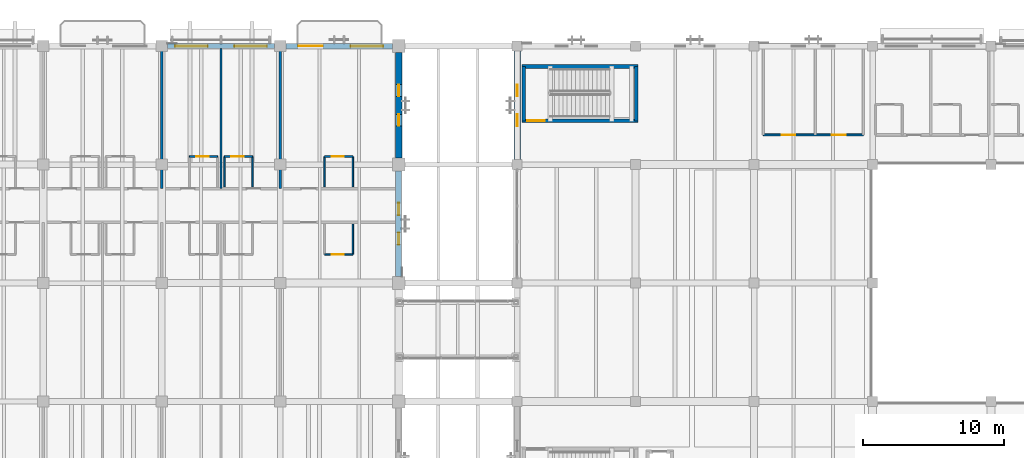
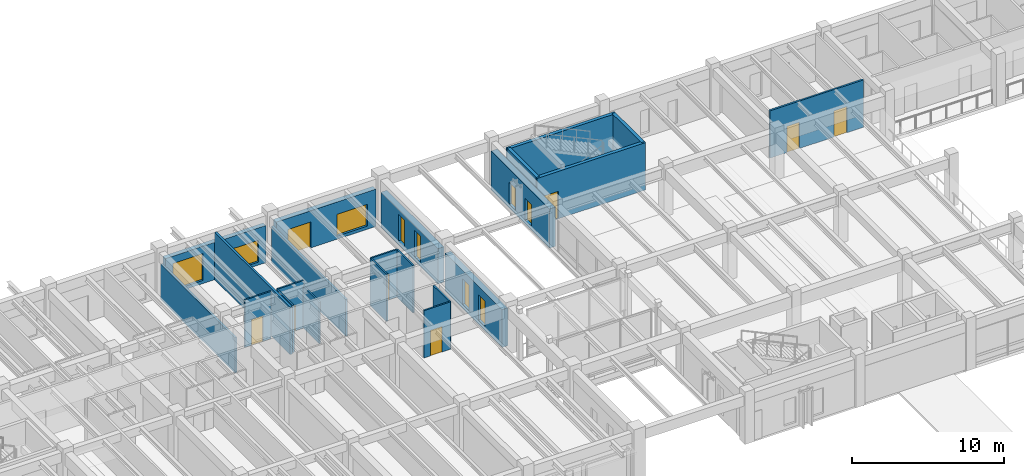
# One storey, part 92 of 132: 22 walls, 9 windows, 8 doors, 17 openings.
"""IFC4 building model written with IfcOpenShell, lengths in metres."""

from ifc_helpers import new_model, si_unit, direction, frame, frame_2d, origin, place, context, subcontext, project, spatial, rectangle, extrude, material, layer, layer_set, type_object, element, fill, save


model = new_model("IFC4")

# Units and contexts
model_context = context("Model", 3, precision=1e-05, world=origin(), true_north=direction((0.0, 1.0)))
body_context = subcontext(model_context, "Body", "Model", "MODEL_VIEW")
ifc_project = project(units=[si_unit("LENGTHUNIT", "METRE"), si_unit("AREAUNIT", "SQUARE_METRE"), si_unit("VOLUMEUNIT", "CUBIC_METRE"), si_unit("PLANEANGLEUNIT", "RADIAN"), si_unit("MASSUNIT", "GRAM", prefix="KILO")], contexts=[model_context])

# Site, building, storey
site_placement = place(None, origin())
site = spatial("IfcSite", under=ifc_project, at=site_placement, CompositionType="ELEMENT")
building_placement = place(site_placement, origin())
building = spatial("IfcBuilding", under=site, at=building_placement, Name="Cumbredor Promenade Congress Hotel", CompositionType="ELEMENT")
storey_placement = place(building_placement, frame((0.0, 0.0, 7.56005859375)))
storey = spatial("IfcBuildingStorey", under=building, at=storey_placement, Name="L02", CompositionType="ELEMENT", Elevation=7.56005859375)

# Wall, opening, door
ifc_material_1 = material(Name="Moisture-resistant gypsum board on steel studs", Category="steel")
ifc_layer_1 = layer(ifc_material_1, 0.114990234375, Name="Moisture-resistant gypsum board on steel studs", Category="steel")
ifc_layer_set_1 = layer_set([ifc_layer_1], Name="Moisture-resistant gypsum board on steel studs")
wall_type_1 = type_object("IfcWallType", Name="WL-BATH-115", PredefinedType="PARTITIONING", material=ifc_layer_set_1)
wall_1_placement = place(storey_placement, frame((69.159912109375, 109.77001953125, 0.0), z_axis=(0.0, 0.0, 1.0), x_axis=(1.0, 0.0, 0.0)))
wall_1 = element("IfcWall", 1, at=wall_1_placement, inside=storey, type_object=wall_type_1, Name="L02 Interior Partition W-L02-BH-0215", PredefinedType="PARTITIONING", context=body_context, shape_type="SweptSolid", body=[
    extrude(rectangle(XDim=2.0, YDim=0.114990234375, at=frame_2d((1.0, 0.0))), origin(), (0.0, 0.0, 1.0), 3.800048828125),
])
opening_1_placement = place(wall_1_placement, frame((0.5, 0.0, 0.0)))
opening_1 = element("IfcOpeningElement", 2, at=opening_1_placement, cuts=wall_1, Name="Opening ID-01", PredefinedType="OPENING", context=body_context, shape_type="SweptSolid", body=[
    extrude(rectangle(XDim=0.860107421875, YDim=2.050048828125, at=frame_2d((0.43017578125, 1.02490234375))), frame((0.0, 0.0673828125, 0.0), z_axis=(0.0, -1.0, 0.0), x_axis=(1.0, 0.0, 0.0)), (0.0, 0.0, 1.0), 0.135009765625),
])
ifc_material_2 = material(Name="Kiln-dried tropical hardwood", Category="wood")
door_type_1 = type_object("IfcDoorType", Name="DR-BATH-860", OperationType="NOTDEFINED", PredefinedType="DOOR", material=ifc_material_2)
door_1_placement = place(opening_1_placement, origin())
door_1 = element("IfcDoor", 3, at=door_1_placement, inside=storey, type_object=door_type_1, Name="L02 Interior Door W-L02-BH-0215-01", OperationType="SINGLE_SWING_RIGHT", OverallHeight=2.050048828125, OverallWidth=0.860107421875, PredefinedType="DOOR", context=body_context, shape_type="SweptSolid", body=[
    extrude(rectangle(XDim=0.860107421875, YDim=2.050048828125, at=frame_2d((0.43017578125, 1.02490234375))), frame((0.0, 0.02490234375, 0.0), z_axis=(0.0, -1.0, 0.0), x_axis=(1.0, 0.0, 0.0)), (0.0, 0.0, 1.0), 0.050048828125),
])
fill(opening_1, door_1)

wall_2_placement = place(storey_placement, frame((71.639892578125, 109.77001953125, 0.0), z_axis=(0.0, 0.0, 1.0), x_axis=(1.0, 0.0, 0.0)))
wall_2 = element("IfcWall", 4, at=wall_2_placement, inside=storey, type_object=wall_type_1, Name="L02 Interior Partition W-L02-BH-0216", PredefinedType="PARTITIONING", context=body_context, shape_type="SweptSolid", body=[
    extrude(rectangle(XDim=2.0, YDim=0.114990234375, at=frame_2d((1.0, 0.0))), origin(), (0.0, 0.0, 1.0), 3.800048828125),
])
opening_2_placement = place(wall_2_placement, frame((0.5, 0.0, 0.0)))
opening_2 = element("IfcOpeningElement", 5, at=opening_2_placement, cuts=wall_2, Name="Opening ID-01", PredefinedType="OPENING", context=body_context, shape_type="SweptSolid", body=[
    extrude(rectangle(XDim=0.860107421875, YDim=2.050048828125, at=frame_2d((0.43017578125, 1.02490234375))), frame((0.0, 0.0673828125, 0.0), z_axis=(0.0, -1.0, 0.0), x_axis=(1.0, 0.0, 0.0)), (0.0, 0.0, 1.0), 0.135009765625),
])
door_2_placement = place(opening_2_placement, origin())
door_2 = element("IfcDoor", 6, at=door_2_placement, inside=storey, type_object=door_type_1, Name="L02 Interior Door W-L02-BH-0216-01", OperationType="SINGLE_SWING_LEFT", OverallHeight=2.050048828125, OverallWidth=0.860107421875, PredefinedType="DOOR", context=body_context, shape_type="SweptSolid", body=[
    extrude(rectangle(XDim=0.860107421875, YDim=2.050048828125, at=frame_2d((0.43017578125, 1.02490234375))), frame((0.0, 0.02490234375, 0.0), z_axis=(0.0, -1.0, 0.0), x_axis=(1.0, 0.0, 0.0)), (0.0, 0.0, 1.0), 0.050048828125),
])
fill(opening_2, door_2)

# Walls
wall_3_placement = place(storey_placement, frame((71.639892578125, 107.6201171875, 0.0), z_axis=(0.0, 0.0, 1.0), x_axis=(0.0, 1.0, 0.0)))
element("IfcWall", 7, at=wall_3_placement, inside=storey, type_object=wall_type_1, Name="L02 Interior Partition W-L02-BV1-0216", PredefinedType="PARTITIONING", context=body_context, shape_type="SweptSolid", body=[
    extrude(rectangle(XDim=2.14990234375, YDim=0.114990234375, at=frame_2d((1.074951171875, 0.0))), origin(), (0.0, 0.0, 1.0), 3.800048828125),
])
wall_4_placement = place(storey_placement, frame((73.639892578125, 107.6201171875, 0.0), z_axis=(0.0, 0.0, 1.0), x_axis=(0.0, 1.0, 0.0)))
element("IfcWall", 8, at=wall_4_placement, inside=storey, type_object=wall_type_1, Name="L02 Interior Partition W-L02-BV2-0216", PredefinedType="PARTITIONING", context=body_context, shape_type="SweptSolid", body=[
    extrude(rectangle(XDim=2.14990234375, YDim=0.114990234375, at=frame_2d((1.074951171875, 0.0))), origin(), (0.0, 0.0, 1.0), 3.322021484375),
])

# Wall, opening, door
wall_5_placement = place(storey_placement, frame((78.75, 109.77001953125, 0.0), z_axis=(0.0, 0.0, 1.0), x_axis=(1.0, 0.0, 0.0)))
wall_5 = element("IfcWall", 9, at=wall_5_placement, inside=storey, type_object=wall_type_1, Name="L02 Interior Partition W-L02-BH-0217", PredefinedType="PARTITIONING", context=body_context, shape_type="SweptSolid", body=[
    extrude(rectangle(XDim=2.0, YDim=0.114990234375, at=frame_2d((1.0, 0.0))), origin(), (0.0, 0.0, 1.0), 3.800048828125),
])
opening_3_placement = place(wall_5_placement, frame((0.5, 0.0, 0.0)))
opening_3 = element("IfcOpeningElement", 10, at=opening_3_placement, cuts=wall_5, Name="Opening ID-01", PredefinedType="OPENING", context=body_context, shape_type="SweptSolid", body=[
    extrude(rectangle(XDim=0.860107421875, YDim=2.050048828125, at=frame_2d((0.43017578125, 1.02490234375))), frame((0.0, 0.0673828125, 0.0), z_axis=(0.0, -1.0, 0.0), x_axis=(1.0, 0.0, 0.0)), (0.0, 0.0, 1.0), 0.135009765625),
])
door_3_placement = place(opening_3_placement, origin())
door_3 = element("IfcDoor", 11, at=door_3_placement, inside=storey, type_object=door_type_1, Name="L02 Interior Door W-L02-BH-0217-01", OperationType="SINGLE_SWING_RIGHT", OverallHeight=2.050048828125, OverallWidth=0.860107421875, PredefinedType="DOOR", context=body_context, shape_type="SweptSolid", body=[
    extrude(rectangle(XDim=0.860107421875, YDim=2.050048828125, at=frame_2d((0.43017578125, 1.02490234375))), frame((0.0, 0.02490234375, 0.0), z_axis=(0.0, -1.0, 0.0), x_axis=(1.0, 0.0, 0.0)), (0.0, 0.0, 1.0), 0.050048828125),
])
fill(opening_3, door_3)

# Walls
for number, where, z_axis, x_axis, name in (
    (12, (78.75, 107.6201171875, 0.0), (0.0, 0.0, 1.0), (0.0, 1.0, 0.0), "L02 Interior Partition W-L02-BV1-0217"),
    (13, (80.75, 107.6201171875, 0.0), (0.0, 0.0, 1.0), (0.0, 1.0, 0.0), "L02 Interior Partition W-L02-BV2-0217"),
):
    element("IfcWall", number, at=place(storey_placement, frame(where, z_axis=z_axis, x_axis=x_axis)), inside=storey, type_object=wall_type_1, Name=name, PredefinedType="PARTITIONING", context=body_context, shape_type="SweptSolid", body=[
        extrude(rectangle(XDim=2.14990234375, YDim=0.114990234375, at=frame_2d((1.074951171875, 0.0))), origin(), (0.0, 0.0, 1.0), 3.800048828125),
    ])

# Wall, opening, door
wall_6_placement = place(storey_placement, frame((78.75, 102.830078125, 0.0), z_axis=(0.0, 0.0, 1.0), x_axis=(1.0, 0.0, 0.0)))
wall_6 = element("IfcWall", 14, at=wall_6_placement, inside=storey, type_object=wall_type_1, Name="L02 Interior Partition W-L02-BH-0223", PredefinedType="PARTITIONING", context=body_context, shape_type="SweptSolid", body=[
    extrude(rectangle(XDim=2.0, YDim=0.114990234375, at=frame_2d((1.0, 0.0))), origin(), (0.0, 0.0, 1.0), 3.800048828125),
])
opening_4_placement = place(wall_6_placement, frame((0.5, 0.0, 0.0)))
opening_4 = element("IfcOpeningElement", 15, at=opening_4_placement, cuts=wall_6, Name="Opening ID-01", PredefinedType="OPENING", context=body_context, shape_type="SweptSolid", body=[
    extrude(rectangle(XDim=0.860107421875, YDim=2.050048828125, at=frame_2d((0.43017578125, 1.02490234375))), frame((0.0, 0.0673828125, 0.0), z_axis=(0.0, -1.0, 0.0), x_axis=(1.0, 0.0, 0.0)), (0.0, 0.0, 1.0), 0.135009765625),
])
door_4_placement = place(opening_4_placement, origin())
door_4 = element("IfcDoor", 16, at=door_4_placement, inside=storey, type_object=door_type_1, Name="L02 Interior Door W-L02-BH-0223-01", OperationType="SINGLE_SWING_RIGHT", OverallHeight=2.050048828125, OverallWidth=0.860107421875, PredefinedType="DOOR", context=body_context, shape_type="SweptSolid", body=[
    extrude(rectangle(XDim=0.860107421875, YDim=2.050048828125, at=frame_2d((0.43017578125, 1.02490234375))), frame((0.0, 0.02490234375, 0.0), z_axis=(0.0, -1.0, 0.0), x_axis=(1.0, 0.0, 0.0)), (0.0, 0.0, 1.0), 0.050048828125),
])
fill(opening_4, door_4)

# Wall
wall_7_placement = place(storey_placement, frame((80.75, 102.830078125, 0.0), z_axis=(0.0, 0.0, 1.0), x_axis=(0.0, 1.0, 0.0)))
element("IfcWall", 17, at=wall_7_placement, inside=storey, type_object=wall_type_1, Name="L02 Interior Partition W-L02-BV2-0223", PredefinedType="PARTITIONING", context=body_context, shape_type="SweptSolid", body=[
    extrude(rectangle(XDim=2.14990234375, YDim=0.114990234375, at=frame_2d((1.074951171875, 0.0))), origin(), (0.0, 0.0, 1.0), 3.800048828125),
])

# Wall, openings, windows
ifc_material_3 = material(Name="Concrete C40/50", Category="concrete")
ifc_layer_2 = layer(ifc_material_3, 0.35009765625, Name="Concrete C40/50", Category="concrete")
ifc_layer_set_2 = layer_set([ifc_layer_2], Name="Concrete C40/50")
wall_type_2 = type_object("IfcWallType", Name="WL-EXT-350", PredefinedType="SOLIDWALL", material=ifc_layer_set_2)
wall_8_placement = place(storey_placement, frame((67.60107421875, 117.60009765625, 0.0), z_axis=(0.0, 0.0, 1.0), x_axis=(1.0, 0.0, 0.0)))
wall_8 = element("IfcWall", 18, at=wall_8_placement, inside=storey, type_object=wall_type_2, Name="L02 Stepped Congress Hotel Wing North Envelope Wall 9", PredefinedType="SOLIDWALL", context=body_context, shape_type="SweptSolid", body=[
    extrude(rectangle(XDim=7.597900390625, YDim=0.35009765625, at=frame_2d((3.798828125, 0.0))), origin(), (0.0, 0.0, 1.0), 2.98486328125),
])
opening_5_placement = place(wall_8_placement, frame((0.549072265625, 0.0, 0.25)))
opening_5 = element("IfcOpeningElement", 19, at=opening_5_placement, cuts=wall_8, Name="Opening WN-19", PredefinedType="OPENING", context=body_context, shape_type="SweptSolid", body=[
    extrude(rectangle(XDim=2.300048828125, YDim=2.14990234375, at=frame_2d((1.14990234375, 1.074951171875))), frame((0.0, 0.18505859375, 0.0), z_axis=(0.0, -1.0, 0.0), x_axis=(1.0, 0.0, 0.0)), (0.0, 0.0, 1.0), 0.3701171875),
])
opening_6_placement = place(wall_8_placement, frame((4.7490234375, 0.0, 0.25)))
opening_6 = element("IfcOpeningElement", 20, at=opening_6_placement, cuts=wall_8, Name="Opening WN-25", PredefinedType="OPENING", context=body_context, shape_type="SweptSolid", body=[
    extrude(rectangle(XDim=2.300048828125, YDim=1.75, at=frame_2d((1.14990234375, 0.875))), frame((0.0, 0.18505859375, 0.0), z_axis=(0.0, -1.0, 0.0), x_axis=(1.0, 0.0, 0.0)), (0.0, 0.0, 1.0), 0.3701171875),
])
ifc_material_4 = material(Name="Thermally broken anodized aluminium and low-E glass", Category="aluminium")
window_type_1 = type_object("IfcWindowType", Name="Hospitality Floor-to-Ceiling Window WN-19 2300x2150", PartitioningType="DOUBLE_PANEL_VERTICAL", PredefinedType="WINDOW", material=ifc_material_4)
window_1_placement = place(opening_5_placement, origin())
window_1 = element("IfcWindow", 21, at=window_1_placement, inside=storey, type_object=window_type_1, Name="L02 Wide Hospitality Window 0319", OverallHeight=2.14990234375, OverallWidth=2.300048828125, PartitioningType="DOUBLE_PANEL_VERTICAL", PredefinedType="WINDOW", context=body_context, shape_type="SweptSolid", body=[
    extrude(rectangle(XDim=2.300048828125, YDim=2.14990234375, at=frame_2d((1.14990234375, 1.074951171875))), frame((0.0, 0.030029296875, 0.0), z_axis=(0.0, -1.0, 0.0), x_axis=(1.0, 0.0, 0.0)), (0.0, 0.0, 1.0), 0.06005859375),
])
fill(opening_5, window_1)
window_type_2 = type_object("IfcWindowType", Name="Hospitality Floor-to-Ceiling Window WN-25 2300x1750", PartitioningType="DOUBLE_PANEL_VERTICAL", PredefinedType="WINDOW", material=ifc_material_4)
window_2_placement = place(opening_6_placement, origin())
window_2 = element("IfcWindow", 22, at=window_2_placement, inside=storey, type_object=window_type_2, Name="L02 Wide Hospitality Window 0320", OverallHeight=1.75, OverallWidth=2.300048828125, PartitioningType="DOUBLE_PANEL_VERTICAL", PredefinedType="WINDOW", context=body_context, shape_type="SweptSolid", body=[
    extrude(rectangle(XDim=2.300048828125, YDim=1.75, at=frame_2d((1.14990234375, 0.875))), frame((0.0, 0.030029296875, 0.0), z_axis=(0.0, -1.0, 0.0), x_axis=(1.0, 0.0, 0.0)), (0.0, 0.0, 1.0), 0.06005859375),
])
fill(opening_6, window_2)

# Wall, openings, door, window
ifc_layer_3 = layer(ifc_material_3, 0.3798828125, Name="Concrete C40/50", Category="concrete")
ifc_layer_set_3 = layer_set([ifc_layer_3], Name="Concrete C40/50")
wall_type_3 = type_object("IfcWallType", Name="WL-EXT-380", PredefinedType="SOLIDWALL", material=ifc_layer_set_3)
wall_9_placement = place(storey_placement, frame((76.0009765625, 117.60009765625, 0.0), z_axis=(0.0, 0.0, 1.0), x_axis=(1.0, 0.0, 0.0)))
wall_9 = element("IfcWall", 23, at=wall_9_placement, inside=storey, type_object=wall_type_3, Name="L02 Stepped Congress Hotel Wing North Envelope Wall 10", PredefinedType="SOLIDWALL", context=body_context, shape_type="SweptSolid", body=[
    extrude(rectangle(XDim=7.548095703125, YDim=0.3798828125, at=frame_2d((3.77392578125, 0.0))), origin(), (0.0, 0.0, 1.0), 2.98486328125),
])
opening_7_placement = place(wall_9_placement, frame((0.8740234375, 0.0, 0.0)))
opening_7 = element("IfcOpeningElement", 24, at=opening_7_placement, cuts=wall_9, Name="Opening TD-03", PredefinedType="OPENING", context=body_context, shape_type="SweptSolid", body=[
    extrude(rectangle(XDim=1.75, YDim=2.080078125, at=frame_2d((0.875, 1.0400390625))), frame((0.0, 0.199951171875, 0.0), z_axis=(0.0, -1.0, 0.0), x_axis=(1.0, 0.0, 0.0)), (0.0, 0.0, 1.0), 0.39990234375),
])
opening_8_placement = place(wall_9_placement, frame((4.59912109375, 0.0, 0.25)))
opening_8 = element("IfcOpeningElement", 25, at=opening_8_placement, cuts=wall_9, Name="Opening WN-25", PredefinedType="OPENING", context=body_context, shape_type="SweptSolid", body=[
    extrude(rectangle(XDim=2.300048828125, YDim=1.75, at=frame_2d((1.14990234375, 0.875))), frame((0.0, 0.199951171875, 0.0), z_axis=(0.0, -1.0, 0.0), x_axis=(1.0, 0.0, 0.0)), (0.0, 0.0, 1.0), 0.39990234375),
])
ifc_material_5 = material(Name="Thermally broken anodized aluminium and laminated safety glass", Category="aluminium")
door_type_2 = type_object("IfcDoorType", Name="EXT-DR-TER-1750x2080", OperationType="DOUBLE_DOOR_SINGLE_SWING", PredefinedType="DOOR", material=ifc_material_5)
door_5_placement = place(opening_7_placement, origin())
door_5 = element("IfcDoor", 26, at=door_5_placement, inside=storey, type_object=door_type_2, Name="L02 Guestroom Veranda Balcony Door 041", OperationType="DOUBLE_DOOR_SINGLE_SWING", OverallHeight=2.080078125, OverallWidth=1.75, PredefinedType="DOOR", context=body_context, shape_type="SweptSolid", body=[
    extrude(rectangle(XDim=1.75, YDim=2.080078125, at=frame_2d((0.875, 1.0400390625))), frame((0.0, 0.02490234375, 0.0), z_axis=(0.0, -1.0, 0.0), x_axis=(1.0, 0.0, 0.0)), (0.0, 0.0, 1.0), 0.050048828125),
])
fill(opening_7, door_5)
window_3_placement = place(opening_8_placement, origin())
window_3 = element("IfcWindow", 27, at=window_3_placement, inside=storey, type_object=window_type_2, Name="L02 Veranda Companion Floor-to-Ceiling Window 0321", OverallHeight=1.75, OverallWidth=2.300048828125, PartitioningType="DOUBLE_PANEL_VERTICAL", PredefinedType="WINDOW", context=body_context, shape_type="SweptSolid", body=[
    extrude(rectangle(XDim=2.300048828125, YDim=1.75, at=frame_2d((1.14990234375, 0.875))), frame((0.0, 0.030029296875, 0.0), z_axis=(0.0, -1.0, 0.0), x_axis=(1.0, 0.0, 0.0)), (0.0, 0.0, 1.0), 0.06005859375),
])
fill(opening_8, window_3)

# Wall, openings, windows
ifc_layer_4 = layer(ifc_material_3, 0.425048828125, Name="Concrete C40/50", Category="concrete")
ifc_layer_set_4 = layer_set([ifc_layer_4], Name="Concrete C40/50")
wall_type_4 = type_object("IfcWallType", Name="WL-EXT-425", PredefinedType="SOLIDWALL", material=ifc_layer_set_4)
wall_10_placement = place(storey_placement, frame((84.0, 101.2509765625, 0.0), z_axis=(0.0, 0.0, 1.0), x_axis=(0.0, 1.0, 0.0)))
wall_10 = element("IfcWall", 28, at=wall_10_placement, inside=storey, type_object=wall_type_4, Name="L02 Stepped Congress Hotel Wing East Envelope Wall 3", PredefinedType="SOLIDWALL", context=body_context, shape_type="SweptSolid", body=[
    extrude(rectangle(XDim=7.498046875, YDim=0.425048828125, at=frame_2d((3.7490234375, 0.0))), origin(), (0.0, 0.0, 1.0), 3.034912109375),
])
opening_9_placement = place(wall_10_placement, frame((2.26904296875, 0.0, 0.300048828125)))
opening_9 = element("IfcOpeningElement", 29, at=opening_9_placement, cuts=wall_10, Name="Opening WN-55", PredefinedType="OPENING", context=body_context, shape_type="SweptSolid", body=[
    extrude(rectangle(XDim=0.860107421875, YDim=2.050048828125, at=frame_2d((0.43017578125, 1.02490234375))), frame((0.0, 0.22265625, 0.0), z_axis=(0.0, -1.0, 0.0), x_axis=(1.0, 0.0, 0.0)), (0.0, 0.0, 1.0), 0.445068359375),
])
opening_10_placement = place(wall_10_placement, frame((4.368896484375, 0.0, 0.300048828125)))
opening_10 = element("IfcOpeningElement", 30, at=opening_10_placement, cuts=wall_10, Name="Opening WN-55", PredefinedType="OPENING", context=body_context, shape_type="SweptSolid", body=[
    extrude(rectangle(XDim=0.860107421875, YDim=2.050048828125, at=frame_2d((0.43017578125, 1.02490234375))), frame((0.0, 0.22265625, 0.0), z_axis=(0.0, -1.0, 0.0), x_axis=(1.0, 0.0, 0.0)), (0.0, 0.0, 1.0), 0.445068359375),
])
window_type_3 = type_object("IfcWindowType", Name="Vertical Slot Window WN-55 860x2050", PartitioningType="SINGLE_PANEL", PredefinedType="WINDOW", material=ifc_material_4)
window_4_placement = place(opening_9_placement, origin())
window_4 = element("IfcWindow", 31, at=window_4_placement, inside=storey, type_object=window_type_3, Name="L02 Vertical Slot Window 0332", OverallHeight=2.050048828125, OverallWidth=0.860107421875, PartitioningType="SINGLE_PANEL", PredefinedType="WINDOW", context=body_context, shape_type="SweptSolid", body=[
    extrude(rectangle(XDim=0.860107421875, YDim=2.050048828125, at=frame_2d((0.43017578125, 1.02490234375))), frame((0.0, 0.030029296875, 0.0), z_axis=(0.0, -1.0, 0.0), x_axis=(1.0, 0.0, 0.0)), (0.0, 0.0, 1.0), 0.06005859375),
])
fill(opening_9, window_4)
window_5_placement = place(opening_10_placement, origin())
window_5 = element("IfcWindow", 32, at=window_5_placement, inside=storey, type_object=window_type_3, Name="L02 Vertical Slot Window 0333", OverallHeight=2.050048828125, OverallWidth=0.860107421875, PartitioningType="SINGLE_PANEL", PredefinedType="WINDOW", context=body_context, shape_type="SweptSolid", body=[
    extrude(rectangle(XDim=0.860107421875, YDim=2.050048828125, at=frame_2d((0.43017578125, 1.02490234375))), frame((0.0, 0.030029296875, 0.0), z_axis=(0.0, -1.0, 0.0), x_axis=(1.0, 0.0, 0.0)), (0.0, 0.0, 1.0), 0.06005859375),
])
fill(opening_10, window_5)

ifc_layer_5 = layer(ifc_material_3, 0.449951171875, Name="Concrete C40/50", Category="concrete")
ifc_layer_set_5 = layer_set([ifc_layer_5], Name="Concrete C40/50")
wall_type_5 = type_object("IfcWallType", Name="WL-EXT-450", PredefinedType="SOLIDWALL", material=ifc_layer_set_5)
wall_11_placement = place(storey_placement, frame((92.39990234375, 109.551025390625, 0.0), z_axis=(0.0, 0.0, 1.0), x_axis=(0.0, 1.0, 0.0)))
wall_11 = element("IfcWall", 33, at=wall_11_placement, inside=storey, type_object=wall_type_5, Name="L02 Pre-Function and Breakout Meeting Forum West Envelope Wall 4", PredefinedType="SOLIDWALL", context=body_context, shape_type="SweptSolid", body=[
    extrude(rectangle(XDim=7.697998046875, YDim=0.449951171875, at=frame_2d((3.84912109375, 0.0))), origin(), (0.0, 0.0, 1.0), 3.135009765625),
])
opening_11_placement = place(wall_11_placement, frame((2.37890625, 0.0, 0.300048828125)))
opening_11 = element("IfcOpeningElement", 34, at=opening_11_placement, cuts=wall_11, Name="Opening WN-62", PredefinedType="OPENING", context=body_context, shape_type="SweptSolid", body=[
    extrude(rectangle(XDim=0.840087890625, YDim=1.75, at=frame_2d((0.419921875, 0.875))), frame((0.0, 0.23486328125, 0.0), z_axis=(0.0, -1.0, 0.0), x_axis=(1.0, 0.0, 0.0)), (0.0, 0.0, 1.0), 0.469970703125),
])
opening_12_placement = place(wall_11_placement, frame((4.47900390625, 0.0, 0.300048828125)))
opening_12 = element("IfcOpeningElement", 35, at=opening_12_placement, cuts=wall_11, Name="Opening WN-62", PredefinedType="OPENING", context=body_context, shape_type="SweptSolid", body=[
    extrude(rectangle(XDim=0.840087890625, YDim=1.75, at=frame_2d((0.419921875, 0.875))), frame((0.0, 0.23486328125, 0.0), z_axis=(0.0, -1.0, 0.0), x_axis=(1.0, 0.0, 0.0)), (0.0, 0.0, 1.0), 0.469970703125),
])
window_type_4 = type_object("IfcWindowType", Name="Vertical Slot Window WN-62 840x1750", PartitioningType="SINGLE_PANEL", PredefinedType="WINDOW", material=ifc_material_4)
window_6_placement = place(opening_11_placement, origin())
window_6 = element("IfcWindow", 36, at=window_6_placement, inside=storey, type_object=window_type_4, Name="L02 Vertical Slot Window 0288", OverallHeight=1.75, OverallWidth=0.840087890625, PartitioningType="SINGLE_PANEL", PredefinedType="WINDOW", context=body_context, shape_type="SweptSolid", body=[
    extrude(rectangle(XDim=0.840087890625, YDim=1.75, at=frame_2d((0.419921875, 0.875))), frame((0.0, 0.030029296875, 0.0), z_axis=(0.0, -1.0, 0.0), x_axis=(1.0, 0.0, 0.0)), (0.0, 0.0, 1.0), 0.06005859375),
])
fill(opening_11, window_6)
window_7_placement = place(opening_12_placement, origin())
window_7 = element("IfcWindow", 37, at=window_7_placement, inside=storey, type_object=window_type_4, Name="L02 Vertical Slot Window 0289", OverallHeight=1.75, OverallWidth=0.840087890625, PartitioningType="SINGLE_PANEL", PredefinedType="WINDOW", context=body_context, shape_type="SweptSolid", body=[
    extrude(rectangle(XDim=0.840087890625, YDim=1.75, at=frame_2d((0.419921875, 0.875))), frame((0.0, 0.030029296875, 0.0), z_axis=(0.0, -1.0, 0.0), x_axis=(1.0, 0.0, 0.0)), (0.0, 0.0, 1.0), 0.06005859375),
])
fill(opening_12, window_7)

wall_12_placement = place(storey_placement, frame((84.0, 109.65087890625, 0.0), z_axis=(0.0, 0.0, 1.0), x_axis=(0.0, 1.0, 0.0)))
wall_12 = element("IfcWall", 38, at=wall_12_placement, inside=storey, type_object=wall_type_5, Name="L02 Stepped Congress Hotel Wing East Envelope Wall 4", PredefinedType="SOLIDWALL", context=body_context, shape_type="SweptSolid", body=[
    extrude(rectangle(XDim=7.498046875, YDim=0.449951171875, at=frame_2d((3.7490234375, 0.0))), origin(), (0.0, 0.0, 1.0), 2.8349609375),
])
opening_13_placement = place(wall_12_placement, frame((2.2890625, 0.0, 0.300048828125)))
opening_13 = element("IfcOpeningElement", 39, at=opening_13_placement, cuts=wall_12, Name="Opening WN-58", PredefinedType="OPENING", context=body_context, shape_type="SweptSolid", body=[
    extrude(rectangle(XDim=0.820068359375, YDim=2.14990234375, at=frame_2d((0.41015625, 1.074951171875))), frame((0.0, 0.23486328125, 0.0), z_axis=(0.0, -1.0, 0.0), x_axis=(1.0, 0.0, 0.0)), (0.0, 0.0, 1.0), 0.469970703125),
])
opening_14_placement = place(wall_12_placement, frame((4.388916015625, 0.0, 0.300048828125)))
opening_14 = element("IfcOpeningElement", 40, at=opening_14_placement, cuts=wall_12, Name="Opening WN-58", PredefinedType="OPENING", context=body_context, shape_type="SweptSolid", body=[
    extrude(rectangle(XDim=0.820068359375, YDim=2.14990234375, at=frame_2d((0.41015625, 1.074951171875))), frame((0.0, 0.23486328125, 0.0), z_axis=(0.0, -1.0, 0.0), x_axis=(1.0, 0.0, 0.0)), (0.0, 0.0, 1.0), 0.469970703125),
])
window_type_5 = type_object("IfcWindowType", Name="Vertical Slot Window WN-58 820x2150", PartitioningType="SINGLE_PANEL", PredefinedType="WINDOW", material=ifc_material_4)
window_8_placement = place(opening_13_placement, origin())
window_8 = element("IfcWindow", 41, at=window_8_placement, inside=storey, type_object=window_type_5, Name="L02 Vertical Slot Window 0334", OverallHeight=2.14990234375, OverallWidth=0.820068359375, PartitioningType="SINGLE_PANEL", PredefinedType="WINDOW", context=body_context, shape_type="SweptSolid", body=[
    extrude(rectangle(XDim=0.820068359375, YDim=2.14990234375, at=frame_2d((0.41015625, 1.074951171875))), frame((0.0, 0.030029296875, 0.0), z_axis=(0.0, -1.0, 0.0), x_axis=(1.0, 0.0, 0.0)), (0.0, 0.0, 1.0), 0.06005859375),
])
fill(opening_13, window_8)
window_9_placement = place(opening_14_placement, origin())
window_9 = element("IfcWindow", 42, at=window_9_placement, inside=storey, type_object=window_type_5, Name="L02 Vertical Slot Window 0335", OverallHeight=2.14990234375, OverallWidth=0.820068359375, PartitioningType="SINGLE_PANEL", PredefinedType="WINDOW", context=body_context, shape_type="SweptSolid", body=[
    extrude(rectangle(XDim=0.820068359375, YDim=2.14990234375, at=frame_2d((0.41015625, 1.074951171875))), frame((0.0, 0.030029296875, 0.0), z_axis=(0.0, -1.0, 0.0), x_axis=(1.0, 0.0, 0.0)), (0.0, 0.0, 1.0), 0.06005859375),
])
fill(opening_14, window_9)

# Wall, openings, doors
ifc_material_6 = material(Name="Acoustic gypsum partition on steel studs", Category="steel")
ifc_layer_6 = layer(ifc_material_6, 0.139892578125, Name="Acoustic gypsum partition on steel studs", Category="steel")
ifc_layer_set_6 = layer_set([ifc_layer_6], Name="Acoustic gypsum partition on steel studs")
wall_type_6 = type_object("IfcWallType", Name="WL-PART-140", PredefinedType="PARTITIONING", material=ifc_layer_set_6)
wall_13_placement = place(storey_placement, frame((109.85009765625, 111.300048828125, 0.0), z_axis=(0.0, 0.0, 1.0), x_axis=(1.0, 0.0, 0.0)))
wall_13 = element("IfcWall", 43, at=wall_13_placement, inside=storey, type_object=wall_type_6, Name="L02 Interior Partition W-L02-V4-WC", PredefinedType="PARTITIONING", context=body_context, shape_type="SweptSolid", body=[
    extrude(rectangle(XDim=7.099853515625, YDim=0.139892578125, at=frame_2d((3.5498046875, 0.0))), origin(), (0.0, 0.0, 1.0), 3.800048828125),
])
opening_15_placement = place(wall_13_placement, frame((1.300048828125, 0.0, 0.0)))
opening_15 = element("IfcOpeningElement", 44, at=opening_15_placement, cuts=wall_13, Name="Opening ID-02", PredefinedType="OPENING", context=body_context, shape_type="SweptSolid", body=[
    extrude(rectangle(XDim=0.949951171875, YDim=2.10009765625, at=frame_2d((0.47509765625, 1.050048828125))), frame((0.0, 0.080078125, 0.0), z_axis=(0.0, -1.0, 0.0), x_axis=(1.0, 0.0, 0.0)), (0.0, 0.0, 1.0), 0.159912109375),
])
opening_16_placement = place(wall_13_placement, frame((4.85009765625, 0.0, 0.0)))
opening_16 = element("IfcOpeningElement", 45, at=opening_16_placement, cuts=wall_13, Name="Opening ID-03", PredefinedType="OPENING", context=body_context, shape_type="SweptSolid", body=[
    extrude(rectangle(XDim=1.0, YDim=2.10009765625, at=frame_2d((0.5, 1.050048828125))), frame((0.0, 0.080078125, 0.0), z_axis=(0.0, -1.0, 0.0), x_axis=(1.0, 0.0, 0.0)), (0.0, 0.0, 1.0), 0.159912109375),
])
door_type_3 = type_object("IfcDoorType", Name="DR-ACC-1000", OperationType="NOTDEFINED", PredefinedType="DOOR", material=ifc_material_2)
door_6_placement = place(opening_16_placement, origin())
door_6 = element("IfcDoor", 46, at=door_6_placement, inside=storey, type_object=door_type_3, Name="L02 Interior Door W-L02-V4-WC-02", OperationType="SINGLE_SWING_RIGHT", OverallHeight=2.10009765625, OverallWidth=1.0, PredefinedType="DOOR", context=body_context, shape_type="SweptSolid", body=[
    extrude(rectangle(XDim=1.0, YDim=2.10009765625, at=frame_2d((0.5, 1.050048828125))), frame((0.0, 0.02490234375, 0.0), z_axis=(0.0, -1.0, 0.0), x_axis=(1.0, 0.0, 0.0)), (0.0, 0.0, 1.0), 0.050048828125),
])
fill(opening_16, door_6)
door_type_4 = type_object("IfcDoorType", Name="DR-INT-950", OperationType="NOTDEFINED", PredefinedType="DOOR", material=ifc_material_2)
door_7_placement = place(opening_15_placement, origin())
door_7 = element("IfcDoor", 47, at=door_7_placement, inside=storey, type_object=door_type_4, Name="L02 Interior Door W-L02-V4-WC-01", OperationType="SINGLE_SWING_LEFT", OverallHeight=2.10009765625, OverallWidth=0.949951171875, PredefinedType="DOOR", context=body_context, shape_type="SweptSolid", body=[
    extrude(rectangle(XDim=0.949951171875, YDim=2.10009765625, at=frame_2d((0.47509765625, 1.050048828125))), frame((0.0, 0.02490234375, 0.0), z_axis=(0.0, -1.0, 0.0), x_axis=(1.0, 0.0, 0.0)), (0.0, 0.0, 1.0), 0.050048828125),
])
fill(opening_15, door_7)

# Wall, opening, door
ifc_layer_7 = layer(ifc_material_3, 0.2548828125, Name="Concrete C40/50", Category="concrete")
ifc_layer_set_7 = layer_set([ifc_layer_7], Name="Concrete C40/50")
wall_type_7 = type_object("IfcWallType", Name="WL-SHAFT-250", PredefinedType="SOLIDWALL", material=ifc_layer_set_7)
wall_14_placement = place(storey_placement, frame((92.75244140625, 112.300048828125, 0.0), z_axis=(0.0, 0.0, 1.0), x_axis=(1.0, 0.0, 0.0)))
wall_14 = element("IfcWall", 48, at=wall_14_placement, inside=storey, type_object=wall_type_7, Name="STAIR-ST-15-L02 Shaft Wall South", PredefinedType="SOLIDWALL", context=body_context, shape_type="SweptSolid", body=[
    extrude(rectangle(XDim=8.22509765625, YDim=0.2548828125, at=frame_2d((4.112548828125, 0.0))), origin(), (0.0, 0.0, 1.0), 3.800048828125),
])
opening_17_placement = place(wall_14_placement, frame((0.35009765625, 0.0, 0.0)))
opening_17 = element("IfcOpeningElement", 49, at=opening_17_placement, cuts=wall_14, Name="Opening SD-02", PredefinedType="OPENING", context=body_context, shape_type="SweptSolid", body=[
    extrude(rectangle(XDim=1.25, YDim=2.199951171875, at=frame_2d((0.625, 1.10009765625))), frame((0.0, 0.137451171875, 0.0), z_axis=(0.0, -1.0, 0.0), x_axis=(1.0, 0.0, 0.0)), (0.0, 0.0, 1.0), 0.27490234375),
])
ifc_material_7 = material(Name="Painted galvanized steel fire door", Category="steel")
door_type_5 = type_object("IfcDoorType", Name="DR-STAIR-FD90-1250", OperationType="NOTDEFINED", PredefinedType="DOOR", material=ifc_material_7)
door_8_placement = place(opening_17_placement, origin())
door_8 = element("IfcDoor", 50, at=door_8_placement, inside=storey, type_object=door_type_5, Name="L02 Protected Exit Stair ST-15 Door", OperationType="SINGLE_SWING_RIGHT", OverallHeight=2.199951171875, OverallWidth=1.25, PredefinedType="DOOR", context=body_context, shape_type="SweptSolid", body=[
    extrude(rectangle(XDim=1.25, YDim=2.199951171875, at=frame_2d((0.625, 1.10009765625))), frame((0.0, 0.02490234375, 0.0), z_axis=(0.0, -1.0, 0.0), x_axis=(1.0, 0.0, 0.0)), (0.0, 0.0, 1.0), 0.050048828125),
])
fill(opening_17, door_8)

# Walls
wall_15_placement = place(storey_placement, frame((92.75244140625, 116.14990234375, 0.0), z_axis=(0.0, 0.0, 1.0), x_axis=(1.0, 0.0, 0.0)))
element("IfcWall", 51, at=wall_15_placement, inside=storey, type_object=wall_type_7, Name="STAIR-ST-15-L02 Shaft Wall North", PredefinedType="SOLIDWALL", context=body_context, shape_type="SweptSolid", body=[
    extrude(rectangle(XDim=8.22509765625, YDim=0.2548828125, at=frame_2d((4.112548828125, 0.0))), origin(), (0.0, 0.0, 1.0), 3.800048828125),
])
for number, where, z_axis, x_axis, name in (
    (52, (92.8798828125, 112.300048828125, 0.0), (0.0, 0.0, 1.0), (0.0, 1.0, 0.0), "STAIR-ST-15-L02 Shaft Wall West"),
    (53, (100.85009765625, 112.300048828125, 0.0), (0.0, 0.0, 1.0), (0.0, 1.0, 0.0), "STAIR-ST-15-L02 Shaft Wall East"),
):
    element("IfcWall", number, at=place(storey_placement, frame(where, z_axis=z_axis, x_axis=x_axis)), inside=storey, type_object=wall_type_7, Name=name, PredefinedType="SOLIDWALL", context=body_context, shape_type="SweptSolid", body=[
        extrude(rectangle(XDim=3.849853515625, YDim=0.2548828125, at=frame_2d((1.9248046875, 0.0))), origin(), (0.0, 0.0, 1.0), 3.800048828125),
    ])
ifc_material_8 = material(Name="Fire-rated acoustic double-stud partition")
ifc_layer_8 = layer(ifc_material_8, 0.1650390625, Name="Fire-rated acoustic double-stud partition")
ifc_layer_set_8 = layer_set([ifc_layer_8], Name="Fire-rated acoustic double-stud partition")
wall_type_8 = type_object("IfcWallType", Name="WL-UNIT-165", PredefinedType="PARTITIONING", material=ifc_layer_set_8)
wall_16_placement = place(storey_placement, frame((71.39990234375, 107.5, 0.0), z_axis=(0.0, 0.0, 1.0), x_axis=(0.0, 1.0, 0.0)))
element("IfcWall", 54, at=wall_16_placement, inside=storey, type_object=wall_type_8, Name="L02 Interior Partition W-L02-N-DIV-8-M", PredefinedType="PARTITIONING", context=body_context, shape_type="SweptSolid", body=[
    extrude(rectangle(XDim=9.925048828125, YDim=0.1650390625, at=frame_2d((4.96240234375, 0.0))), origin(), (0.0, 0.0, 1.0), 3.800048828125),
])
wall_17_placement = place(storey_placement, frame((67.199951171875, 107.5, 0.0), z_axis=(0.0, 0.0, 1.0), x_axis=(0.0, 1.0, 0.0)))
element("IfcWall", 55, at=wall_17_placement, inside=storey, type_object=wall_type_8, Name="L02 Interior Partition W-L02-N-DIV-8-G", PredefinedType="PARTITIONING", context=body_context, shape_type="SweptSolid", body=[
    extrude(rectangle(XDim=9.75, YDim=0.1650390625, at=frame_2d((4.875, 0.0))), origin(), (0.0, 0.0, 1.0), 2.8349609375),
])
wall_18_placement = place(storey_placement, frame((75.60009765625, 107.5, 0.0), z_axis=(0.0, 0.0, 1.0), x_axis=(0.0, 1.0, 0.0)))
element("IfcWall", 56, at=wall_18_placement, inside=storey, type_object=wall_type_8, Name="L02 Interior Partition W-L02-N-DIV-9-G", PredefinedType="PARTITIONING", context=body_context, shape_type="SweptSolid", body=[
    extrude(rectangle(XDim=9.75, YDim=0.1650390625, at=frame_2d((4.875, 0.0))), origin(), (0.0, 0.0, 1.0), 2.93505859375),
])

save(model, "model.ifc")
